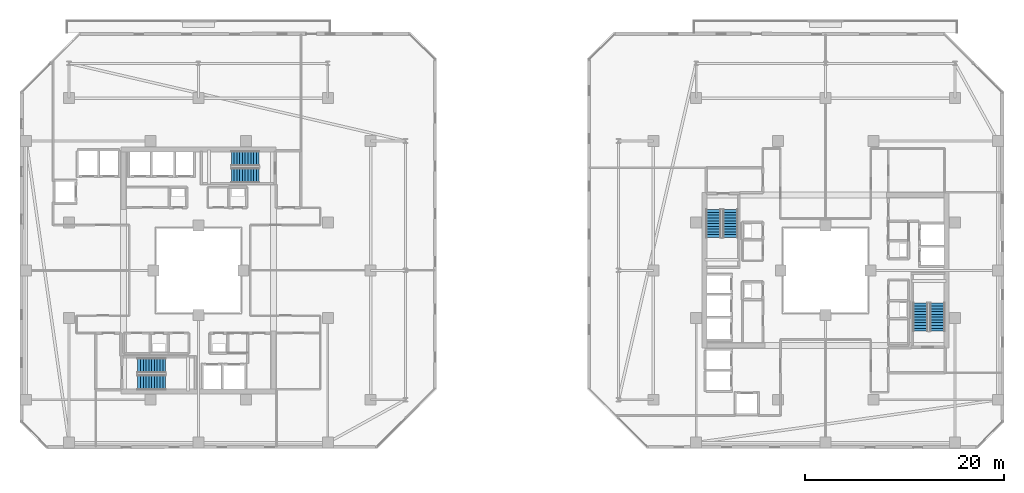
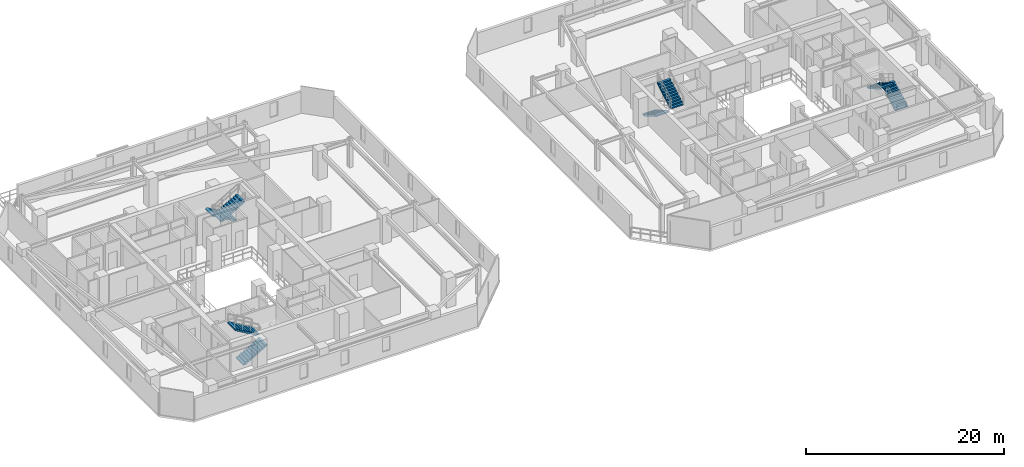
# One storey, part 26 of 32: 8 stair flights, 4 elements without a shape of their own.
"""IFC4 building model written with IfcOpenShell, lengths in metres."""

from ifc_helpers import new_model, si_unit, direction, frame, origin, place, context, subcontext, project, spatial, polyline, outline, extrude, material, type_object, element, aggregate, save


model = new_model("IFC4")

# Units and contexts
model_context = context("Model", 3, precision=1e-05, world=origin(), true_north=direction((0.0, 1.0)))
body_context = subcontext(model_context, "Body", "Model", "MODEL_VIEW")
ifc_project = project(units=[si_unit("LENGTHUNIT", "METRE"), si_unit("AREAUNIT", "SQUARE_METRE"), si_unit("VOLUMEUNIT", "CUBIC_METRE"), si_unit("PLANEANGLEUNIT", "RADIAN"), si_unit("MASSUNIT", "GRAM", prefix="KILO")], contexts=[model_context])

# Site, building, storey
site_placement = place(None, origin())
site = spatial("IfcSite", under=ifc_project, at=site_placement, CompositionType="ELEMENT")
building_placement = place(site_placement, origin())
building = spatial("IfcBuilding", under=site, at=building_placement, Name="Thornwick Lancets Civic Towers", CompositionType="ELEMENT")
storey_placement = place(building_placement, frame((0.0, 0.0, 178.5)))
storey = spatial("IfcBuildingStorey", under=building, at=storey_placement, Name="L47", CompositionType="ELEMENT", Elevation=178.5)

# Stair, stair flights
ifc_material = material(Name="Concrete C40/50", Category="concrete")
stair_type = type_object("IfcStairType", Name="STAIR_DL_3600", PredefinedType="HALF_TURN_STAIR", material=ifc_material)
stair_1_placement = place(storey_placement, origin())
stair_1 = element("IfcStair", 1, at=stair_1_placement, inside=storey, type_object=stair_type, Name="L47 Tower A South Exit Stair ST-A1", PredefinedType="HALF_TURN_STAIR")
stair_flight_type = type_object("IfcStairFlightType", Name="FLIGHT_3600", PredefinedType="STRAIGHT", material=ifc_material)
stair_flight_1_placement = place(storey_placement, frame((19.39990234375, 15.75, 0.0), z_axis=(0.0, 0.0, 1.0), x_axis=(1.0, 0.0, 0.0)))
stair_flight_1 = element("IfcStairFlight", 2, at=stair_flight_1_placement, type_object=stair_flight_type, Name="ST-A1 flight 1", NumberOfRisers=11, NumberOfTreads=10, PredefinedType="STRAIGHT", RiserHeight=0.163636364, TreadLength=0.28, context=body_context, shape_type="SweptSolid", body=[
    extrude(outline(polyline([(0.0, 0.0), (0.0, 0.16357421875), (0.280029296875, 0.16357421875), (0.280029296875, 0.327392578125), (0.56005859375, 0.327392578125), (0.56005859375, 0.490966796875), (0.840087890625, 0.490966796875), (0.840087890625, 0.654541015625), (1.1201171875, 0.654541015625), (1.1201171875, 0.818115234375), (1.39990234375, 0.818115234375), (1.39990234375, 0.98193359375), (1.679931640625, 0.98193359375), (1.679931640625, 1.1455078125), (1.9599609375, 1.1455078125), (1.9599609375, 1.30908203125), (2.239990234375, 1.30908203125), (2.239990234375, 1.47265625), (2.52001953125, 1.47265625), (2.52001953125, 1.636474609375), (2.800048828125, 1.636474609375), (2.800048828125, 1.800048828125), (2.800048828125, 1.462646484375), (0.297119140625, 0.0), (0.0, 0.0)])), frame((0.0, 0.75, 0.0), z_axis=(0.0, -1.0, 0.0), x_axis=(1.0, 0.0, 0.0)), (0.0, 0.0, 1.0), 1.5),
])
stair_flight_2_placement = place(storey_placement, frame((22.199951171875, 17.449951171875, 1.800048828125), z_axis=(0.0, 0.0, 1.0), x_axis=(-1.0, 0.0, 0.0)))
stair_flight_2 = element("IfcStairFlight", 3, at=stair_flight_2_placement, type_object=stair_flight_type, Name="ST-A1 flight 2", NumberOfRisers=11, NumberOfTreads=10, PredefinedType="STRAIGHT", RiserHeight=0.163636364, TreadLength=0.28, context=body_context, shape_type="SweptSolid", body=[
    extrude(outline(polyline([(0.0, 0.0), (0.0, 0.16357421875), (0.280029296875, 0.16357421875), (0.280029296875, 0.327392578125), (0.56005859375, 0.327392578125), (0.56005859375, 0.490966796875), (0.840087890625, 0.490966796875), (0.840087890625, 0.654541015625), (1.1201171875, 0.654541015625), (1.1201171875, 0.818115234375), (1.39990234375, 0.818115234375), (1.39990234375, 0.98193359375), (1.679931640625, 0.98193359375), (1.679931640625, 1.1455078125), (1.9599609375, 1.1455078125), (1.9599609375, 1.30908203125), (2.239990234375, 1.30908203125), (2.239990234375, 1.47265625), (2.52001953125, 1.47265625), (2.52001953125, 1.636474609375), (2.800048828125, 1.636474609375), (2.800048828125, 1.800048828125), (2.800048828125, 1.462646484375), (0.297119140625, 0.0), (0.0, 0.0)])), frame((0.0, 0.75, 0.0), z_axis=(0.0, -1.0, 0.0), x_axis=(1.0, 0.0, 0.0)), (0.0, 0.0, 1.0), 1.5),
])
aggregate(stair_1, [stair_flight_1, stair_flight_2])

stair_2_placement = place(storey_placement, origin())
stair_2 = element("IfcStair", 4, at=stair_2_placement, inside=storey, type_object=stair_type, Name="L47 Tower A North Exit Stair ST-A2", PredefinedType="HALF_TURN_STAIR")
stair_flight_3_placement = place(storey_placement, frame((31.60009765625, 38.25, 0.0), z_axis=(0.0, 0.0, 1.0), x_axis=(-1.0, 0.0, 0.0)))
stair_flight_3 = element("IfcStairFlight", 5, at=stair_flight_3_placement, type_object=stair_flight_type, Name="ST-A2 flight 1", NumberOfRisers=11, NumberOfTreads=10, PredefinedType="STRAIGHT", RiserHeight=0.163636364, TreadLength=0.28, context=body_context, shape_type="SweptSolid", body=[
    extrude(outline(polyline([(0.0, 0.0), (0.0, 0.16357421875), (0.280029296875, 0.16357421875), (0.280029296875, 0.327392578125), (0.56005859375, 0.327392578125), (0.56005859375, 0.490966796875), (0.840087890625, 0.490966796875), (0.840087890625, 0.654541015625), (1.1201171875, 0.654541015625), (1.1201171875, 0.818115234375), (1.39990234375, 0.818115234375), (1.39990234375, 0.98193359375), (1.679931640625, 0.98193359375), (1.679931640625, 1.1455078125), (1.9599609375, 1.1455078125), (1.9599609375, 1.30908203125), (2.239990234375, 1.30908203125), (2.239990234375, 1.47265625), (2.52001953125, 1.47265625), (2.52001953125, 1.636474609375), (2.800048828125, 1.636474609375), (2.800048828125, 1.800048828125), (2.800048828125, 1.462646484375), (0.297119140625, 0.0), (0.0, 0.0)])), frame((0.0, 0.75, 0.0), z_axis=(0.0, -1.0, 0.0), x_axis=(1.0, 0.0, 0.0)), (0.0, 0.0, 1.0), 1.5),
])
stair_flight_4_placement = place(storey_placement, frame((28.800048828125, 36.550048828125, 1.800048828125), z_axis=(0.0, 0.0, 1.0), x_axis=(1.0, 0.0, 0.0)))
stair_flight_4 = element("IfcStairFlight", 6, at=stair_flight_4_placement, type_object=stair_flight_type, Name="ST-A2 flight 2", NumberOfRisers=11, NumberOfTreads=10, PredefinedType="STRAIGHT", RiserHeight=0.163636364, TreadLength=0.28, context=body_context, shape_type="SweptSolid", body=[
    extrude(outline(polyline([(0.0, 0.0), (0.0, 0.16357421875), (0.280029296875, 0.16357421875), (0.280029296875, 0.327392578125), (0.56005859375, 0.327392578125), (0.56005859375, 0.490966796875), (0.840087890625, 0.490966796875), (0.840087890625, 0.654541015625), (1.1201171875, 0.654541015625), (1.1201171875, 0.818115234375), (1.39990234375, 0.818115234375), (1.39990234375, 0.98193359375), (1.679931640625, 0.98193359375), (1.679931640625, 1.1455078125), (1.9599609375, 1.1455078125), (1.9599609375, 1.30908203125), (2.239990234375, 1.30908203125), (2.239990234375, 1.47265625), (2.52001953125, 1.47265625), (2.52001953125, 1.636474609375), (2.800048828125, 1.636474609375), (2.800048828125, 1.800048828125), (2.800048828125, 1.462646484375), (0.297119140625, 0.0), (0.0, 0.0)])), frame((0.0, 0.75, 0.0), z_axis=(0.0, -1.0, 0.0), x_axis=(1.0, 0.0, 0.0)), (0.0, 0.0, 1.0), 1.5),
])
aggregate(stair_2, [stair_flight_3, stair_flight_4])

stair_3_placement = place(storey_placement, origin())
stair_3 = element("IfcStair", 7, at=stair_3_placement, inside=storey, type_object=stair_type, Name="L47 Tower B East Exit Stair ST-B1", PredefinedType="HALF_TURN_STAIR")
stair_flight_5_placement = place(storey_placement, frame((99.75, 20.89990234375, 0.0), z_axis=(0.0, 0.0, 1.0), x_axis=(0.0, 1.0, 0.0)))
stair_flight_5 = element("IfcStairFlight", 8, at=stair_flight_5_placement, type_object=stair_flight_type, Name="ST-B1 flight 1", NumberOfRisers=11, NumberOfTreads=10, PredefinedType="STRAIGHT", RiserHeight=0.163636364, TreadLength=0.28, context=body_context, shape_type="SweptSolid", body=[
    extrude(outline(polyline([(0.0, 0.0), (0.0, 0.16357421875), (0.280029296875, 0.16357421875), (0.280029296875, 0.327392578125), (0.56005859375, 0.327392578125), (0.56005859375, 0.490966796875), (0.840087890625, 0.490966796875), (0.840087890625, 0.654541015625), (1.1201171875, 0.654541015625), (1.1201171875, 0.818115234375), (1.39990234375, 0.818115234375), (1.39990234375, 0.98193359375), (1.679931640625, 0.98193359375), (1.679931640625, 1.1455078125), (1.9599609375, 1.1455078125), (1.9599609375, 1.30908203125), (2.239990234375, 1.30908203125), (2.239990234375, 1.47265625), (2.52001953125, 1.47265625), (2.52001953125, 1.636474609375), (2.800048828125, 1.636474609375), (2.800048828125, 1.800048828125), (2.800048828125, 1.462646484375), (0.297119140625, 0.0), (0.0, 0.0)])), frame((0.0, 0.75, 0.0), z_axis=(0.0, -1.0, 0.0), x_axis=(1.0, 0.0, 0.0)), (0.0, 0.0, 1.0), 1.5),
])
stair_flight_6_placement = place(storey_placement, frame((98.050048828125, 23.699951171875, 1.800048828125), z_axis=(0.0, 0.0, 1.0), x_axis=(0.0, -1.0, 0.0)))
stair_flight_6 = element("IfcStairFlight", 9, at=stair_flight_6_placement, type_object=stair_flight_type, Name="ST-B1 flight 2", NumberOfRisers=11, NumberOfTreads=10, PredefinedType="STRAIGHT", RiserHeight=0.163636364, TreadLength=0.28, context=body_context, shape_type="SweptSolid", body=[
    extrude(outline(polyline([(0.0, 0.0), (0.0, 0.16357421875), (0.280029296875, 0.16357421875), (0.280029296875, 0.327392578125), (0.56005859375, 0.327392578125), (0.56005859375, 0.490966796875), (0.840087890625, 0.490966796875), (0.840087890625, 0.654541015625), (1.1201171875, 0.654541015625), (1.1201171875, 0.818115234375), (1.39990234375, 0.818115234375), (1.39990234375, 0.98193359375), (1.679931640625, 0.98193359375), (1.679931640625, 1.1455078125), (1.9599609375, 1.1455078125), (1.9599609375, 1.30908203125), (2.239990234375, 1.30908203125), (2.239990234375, 1.47265625), (2.52001953125, 1.47265625), (2.52001953125, 1.636474609375), (2.800048828125, 1.636474609375), (2.800048828125, 1.800048828125), (2.800048828125, 1.462646484375), (0.297119140625, 0.0), (0.0, 0.0)])), frame((0.0, 0.75, 0.0), z_axis=(0.0, -1.0, 0.0), x_axis=(1.0, 0.0, 0.0)), (0.0, 0.0, 1.0), 1.5),
])
aggregate(stair_3, [stair_flight_5, stair_flight_6])

stair_4_placement = place(storey_placement, origin())
stair_4 = element("IfcStair", 10, at=stair_4_placement, inside=storey, type_object=stair_type, Name="L47 Tower B West Exit Stair ST-B2", PredefinedType="HALF_TURN_STAIR")
stair_flight_7_placement = place(storey_placement, frame((77.25, 33.10009765625, 0.0), z_axis=(0.0, 0.0, 1.0), x_axis=(0.0, -1.0, 0.0)))
stair_flight_7 = element("IfcStairFlight", 11, at=stair_flight_7_placement, type_object=stair_flight_type, Name="ST-B2 flight 1", NumberOfRisers=11, NumberOfTreads=10, PredefinedType="STRAIGHT", RiserHeight=0.163636364, TreadLength=0.28, context=body_context, shape_type="SweptSolid", body=[
    extrude(outline(polyline([(0.0, 0.0), (0.0, 0.16357421875), (0.280029296875, 0.16357421875), (0.280029296875, 0.327392578125), (0.56005859375, 0.327392578125), (0.56005859375, 0.490966796875), (0.840087890625, 0.490966796875), (0.840087890625, 0.654541015625), (1.1201171875, 0.654541015625), (1.1201171875, 0.818115234375), (1.39990234375, 0.818115234375), (1.39990234375, 0.98193359375), (1.679931640625, 0.98193359375), (1.679931640625, 1.1455078125), (1.9599609375, 1.1455078125), (1.9599609375, 1.30908203125), (2.239990234375, 1.30908203125), (2.239990234375, 1.47265625), (2.52001953125, 1.47265625), (2.52001953125, 1.636474609375), (2.800048828125, 1.636474609375), (2.800048828125, 1.800048828125), (2.800048828125, 1.462646484375), (0.297119140625, 0.0), (0.0, 0.0)])), frame((0.0, 0.75, 0.0), z_axis=(0.0, -1.0, 0.0), x_axis=(1.0, 0.0, 0.0)), (0.0, 0.0, 1.0), 1.5),
])
stair_flight_8_placement = place(storey_placement, frame((78.949951171875, 30.300048828125, 1.800048828125), z_axis=(0.0, 0.0, 1.0), x_axis=(0.0, 1.0, 0.0)))
stair_flight_8 = element("IfcStairFlight", 12, at=stair_flight_8_placement, type_object=stair_flight_type, Name="ST-B2 flight 2", NumberOfRisers=11, NumberOfTreads=10, PredefinedType="STRAIGHT", RiserHeight=0.163636364, TreadLength=0.28, context=body_context, shape_type="SweptSolid", body=[
    extrude(outline(polyline([(0.0, 0.0), (0.0, 0.16357421875), (0.280029296875, 0.16357421875), (0.280029296875, 0.327392578125), (0.56005859375, 0.327392578125), (0.56005859375, 0.490966796875), (0.840087890625, 0.490966796875), (0.840087890625, 0.654541015625), (1.1201171875, 0.654541015625), (1.1201171875, 0.818115234375), (1.39990234375, 0.818115234375), (1.39990234375, 0.98193359375), (1.679931640625, 0.98193359375), (1.679931640625, 1.1455078125), (1.9599609375, 1.1455078125), (1.9599609375, 1.30908203125), (2.239990234375, 1.30908203125), (2.239990234375, 1.47265625), (2.52001953125, 1.47265625), (2.52001953125, 1.636474609375), (2.800048828125, 1.636474609375), (2.800048828125, 1.800048828125), (2.800048828125, 1.462646484375), (0.297119140625, 0.0), (0.0, 0.0)])), frame((0.0, 0.75, 0.0), z_axis=(0.0, -1.0, 0.0), x_axis=(1.0, 0.0, 0.0)), (0.0, 0.0, 1.0), 1.5),
])
aggregate(stair_4, [stair_flight_7, stair_flight_8])

save(model, "model.ifc")
